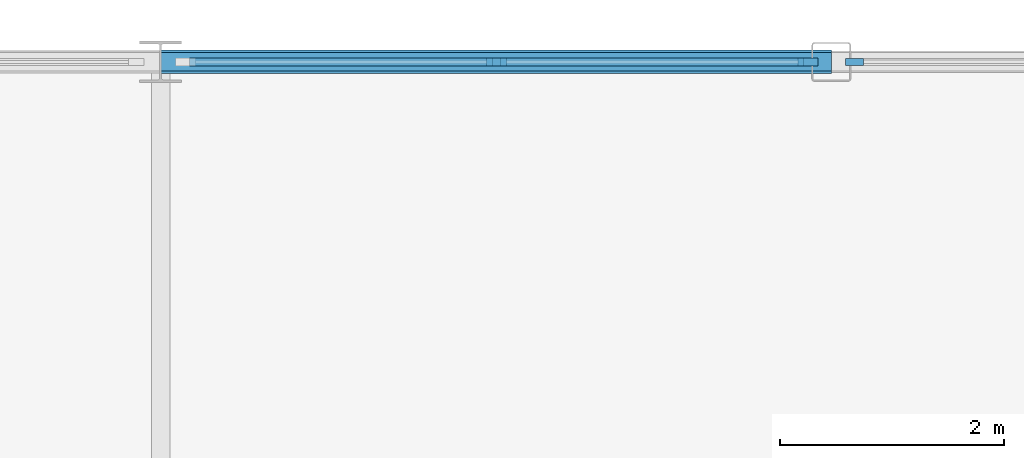
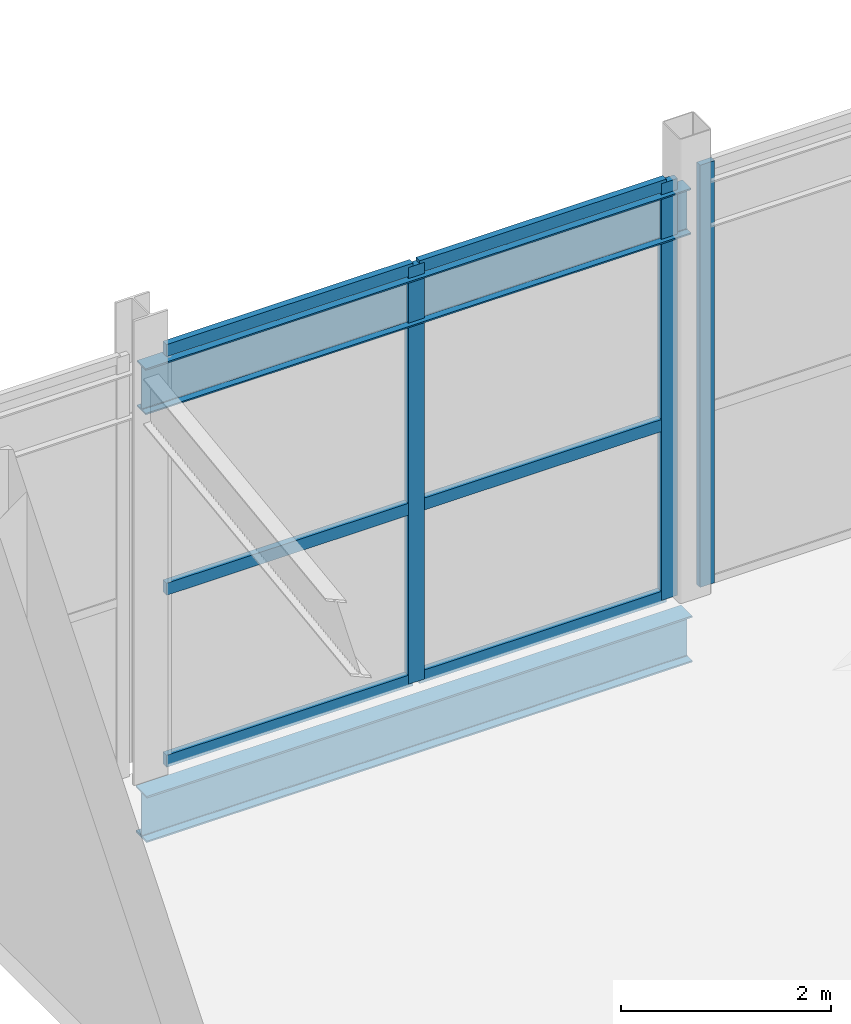
# One storey, part 63 of 119: 9 members, 2 beams, 2 elements without a shape of their own.
"""IFC4 building model written with IfcOpenShell, lengths in metres."""

from ifc_helpers import new_model, si_unit, direction, frame, origin, origin_2d, place, context, subcontext, project, spatial, rectangle, i_section, extrude, material, layer, layer_set, material_profile, profile_set, type_object, element, aggregate, save


model = new_model("IFC4")

# Units and contexts
model_context = context("Model", 3, precision=1e-05, world=origin(), true_north=direction((0.0, 1.0)))
body_context = subcontext(model_context, "Body", "Model", "MODEL_VIEW")
ifc_project = project(units=[si_unit("LENGTHUNIT", "METRE"), si_unit("AREAUNIT", "SQUARE_METRE"), si_unit("VOLUMEUNIT", "CUBIC_METRE"), si_unit("PLANEANGLEUNIT", "RADIAN"), si_unit("MASSUNIT", "GRAM", prefix="KILO")], contexts=[model_context])

# Site, building, storey
site_placement = place(None, origin())
site = spatial("IfcSite", under=ifc_project, at=site_placement, CompositionType="ELEMENT")
building_placement = place(site_placement, origin())
building = spatial("IfcBuilding", under=site, at=building_placement, Name="Qamarlyn Nura Convention Centre", CompositionType="ELEMENT")
storey_placement = place(building_placement, frame((0.0, 0.0, 5.39990234375)))
storey = spatial("IfcBuildingStorey", under=building, at=storey_placement, Name="L01", CompositionType="ELEMENT", Elevation=5.39990234375)

# Beams
ifc_material_1 = material(Name="Steel ASTM A992", Category="steel")
ifc_material_profile_1 = material_profile(ifc_material_1, i_section(OverallWidth=0.166015625, OverallDepth=0.534912109375, WebThickness=0.01025390625, FlangeThickness=0.0166015625, FilletRadius=0.013916015625, at=origin_2d()), Name="W530X85")
ifc_profile_set_1 = profile_set([ifc_material_profile_1], Name="Steel ASTM A992")
beam_type_1 = type_object("IfcBeamType", Name="BM-RAKER-01", PredefinedType="BEAM", material=ifc_profile_set_1)
beam_1_placement = place(storey_placement, frame((180.0, 126.0, 4.4501953125), z_axis=(1.0, 0.0, 0.0), x_axis=(0.0, 1.0, 0.0)))
element("IfcBeam", 1, at=beam_1_placement, inside=storey, type_object=beam_type_1, Name="Plenary stand rear header girder 180-186", PredefinedType="BEAM", context=body_context, shape_type="SweptSolid", body=[
    extrude(i_section(OverallWidth=0.166015625, OverallDepth=0.534912109375, WebThickness=0.01025390625, FlangeThickness=0.0166015625, FilletRadius=0.013916015625, at=origin_2d()), origin(), (0.0, 0.0, 1.0), 6.0),
])
ifc_material_profile_2 = material_profile(ifc_material_1, i_section(OverallWidth=0.2109375, OverallDepth=0.5390625, WebThickness=0.01171875, FlangeThickness=0.018798828125, FilletRadius=0.013916015625, at=origin_2d()), Name="W530X109")
ifc_profile_set_2 = profile_set([ifc_material_profile_2], Name="Steel ASTM A992")
beam_type_2 = type_object("IfcBeamType", Name="BM-SPAN-530", PredefinedType="SPANDREL", material=ifc_profile_set_2)
beam_2_placement = place(storey_placement, frame((180.0, 126.0, -0.509521484375), z_axis=(1.0, 0.0, 0.0), x_axis=(0.0, 1.0, 0.0)))
element("IfcBeam", 2, at=beam_2_placement, inside=storey, type_object=beam_type_2, Name="L01 girder Q 16-17", PredefinedType="SPANDREL", context=body_context, shape_type="SweptSolid", body=[
    extrude(i_section(OverallWidth=0.2109375, OverallDepth=0.5390625, WebThickness=0.01171875, FlangeThickness=0.018798828125, FilletRadius=0.013916015625, at=origin_2d()), origin(), (0.0, 0.0, 1.0), 6.0),
])

# Curtain wall, member
ifc_material_2 = material(Name="Double-silver low-E insulated glass", Category="glass")
ifc_layer_1 = layer(ifc_material_2, 0.179931640625, Name="CW-UNIT-91")
ifc_layer_set_1 = layer_set([ifc_layer_1], Name="Double-silver low-E insulated glass")
curtain_wall_type_1 = type_object("IfcCurtainWallType", Name="CW-UNIT-91", PredefinedType="NOTDEFINED", material=ifc_layer_set_1)
curtain_wall_1_placement = place(storey_placement, origin())
curtain_wall_1 = element("IfcCurtainWall", 3, at=curtain_wall_1_placement, inside=storey, type_object=curtain_wall_type_1, Name="L01 unitised curtain wall PLN-N6-1", PredefinedType="NOTDEFINED")
ifc_material_3 = material(Name="Champagne-anodised marine aluminium", Category="aluminium")
ifc_material_profile_3 = material_profile(ifc_material_3, rectangle(XDim=0.06494140625, YDim=0.159912109375, at=origin_2d()), Name="ALU MULLION 65x160")
ifc_profile_set_3 = profile_set([ifc_material_profile_3], Name="Champagne-anodised marine aluminium")
member_type_1 = type_object("IfcMemberType", Name="CWM-160", PredefinedType="MULLION", material=ifc_profile_set_3)
member_1_placement = place(storey_placement, frame((186.20751953125, 126.0, 0.0), z_axis=(0.0, 0.0, 1.0), x_axis=(0.0, 1.0, 0.0)))
member_1 = element("IfcMember", 4, at=member_1_placement, type_object=member_type_1, Name="CW91 mullion 1", PredefinedType="MULLION", context=body_context, shape_type="SweptSolid", body=[
    extrude(rectangle(XDim=0.06494140625, YDim=0.159912109375, at=origin_2d()), origin(), (0.0, 0.0, 1.0), 4.91015625),
])
aggregate(curtain_wall_1, [member_1])

# Curtain wall, members
ifc_layer_2 = layer(ifc_material_2, 0.179931640625, Name="CW-UNIT-90")
ifc_layer_set_2 = layer_set([ifc_layer_2], Name="Double-silver low-E insulated glass")
curtain_wall_type_2 = type_object("IfcCurtainWallType", Name="CW-UNIT-90", PredefinedType="NOTDEFINED", material=ifc_layer_set_2)
curtain_wall_2_placement = place(storey_placement, origin())
curtain_wall_2 = element("IfcCurtainWall", 5, at=curtain_wall_2_placement, inside=storey, type_object=curtain_wall_type_2, Name="L01 unitised curtain wall PLN-N5-1", PredefinedType="NOTDEFINED")
ifc_material_profile_4 = material_profile(ifc_material_3, rectangle(XDim=0.070068359375, YDim=0.179931640625, at=origin_2d()), Name="ALU MULLION 70x180")
ifc_profile_set_4 = profile_set([ifc_material_profile_4], Name="Champagne-anodised marine aluminium")
member_type_2 = type_object("IfcMemberType", Name="CWM-180", PredefinedType="MULLION", material=ifc_profile_set_4)
member_2_placement = place(storey_placement, frame((183.006103515625, 126.0, 0.0), z_axis=(0.0, 0.0, 1.0), x_axis=(0.0, 1.0, 0.0)))
member_2 = element("IfcMember", 6, at=member_2_placement, type_object=member_type_2, Name="CW90 mullion 2", PredefinedType="MULLION", context=body_context, shape_type="SweptSolid", body=[
    extrude(rectangle(XDim=0.070068359375, YDim=0.179931640625, at=origin_2d()), origin(), (0.0, 0.0, 1.0), 4.84619140625),
])
member_3_placement = place(storey_placement, frame((185.7900390625, 126.0, 0.0), z_axis=(0.0, 0.0, 1.0), x_axis=(0.0, 1.0, 0.0)))
member_3 = element("IfcMember", 7, at=member_3_placement, type_object=member_type_2, Name="CW90 mullion 3", PredefinedType="MULLION", context=body_context, shape_type="SweptSolid", body=[
    extrude(rectangle(XDim=0.070068359375, YDim=0.179931640625, at=origin_2d()), origin(), (0.0, 0.0, 1.0), 4.84619140625),
])
ifc_material_profile_5 = material_profile(ifc_material_3, rectangle(XDim=0.070068359375, YDim=0.139892578125, at=origin_2d()), Name="ALU TRANSOM 70x140")
ifc_profile_set_5 = profile_set([ifc_material_profile_5], Name="Champagne-anodised marine aluminium")
member_type_3 = type_object("IfcMemberType", Name="CWT-140", PredefinedType="USERDEFINED", material=ifc_profile_set_5)
member_4_placement = place(storey_placement, frame((180.257080078125, 126.0, 0.03515625), z_axis=(1.0, 0.0, 0.0), x_axis=(0.0, 1.0, 0.0)))
member_4 = element("IfcMember", 8, at=member_4_placement, type_object=member_type_3, Name="CW90 transom 1.1", ObjectType="TRANSOM", PredefinedType="USERDEFINED", context=body_context, shape_type="SweptSolid", body=[
    extrude(rectangle(XDim=0.070068359375, YDim=0.139892578125, at=origin_2d()), origin(), (0.0, 0.0, 1.0), 2.7138671875),
])
member_5_placement = place(storey_placement, frame((180.257080078125, 126.0, 2.03515625), z_axis=(1.0, 0.0, 0.0), x_axis=(0.0, 1.0, 0.0)))
member_5 = element("IfcMember", 9, at=member_5_placement, type_object=member_type_3, Name="CW90 transom 1.2", ObjectType="TRANSOM", PredefinedType="USERDEFINED", context=body_context, shape_type="SweptSolid", body=[
    extrude(rectangle(XDim=0.070068359375, YDim=0.139892578125, at=origin_2d()), origin(), (0.0, 0.0, 1.0), 2.7138671875),
])
member_6_placement = place(storey_placement, frame((180.257080078125, 126.0, 4.81103515625), z_axis=(1.0, 0.0, 0.0), x_axis=(0.0, 1.0, 0.0)))
member_6 = element("IfcMember", 10, at=member_6_placement, type_object=member_type_3, Name="CW90 transom 1.3", ObjectType="TRANSOM", PredefinedType="USERDEFINED", context=body_context, shape_type="SweptSolid", body=[
    extrude(rectangle(XDim=0.070068359375, YDim=0.139892578125, at=origin_2d()), origin(), (0.0, 0.0, 1.0), 2.7138671875),
])
member_7_placement = place(storey_placement, frame((183.041015625, 126.0, 0.03515625), z_axis=(1.0, 0.0, 0.0), x_axis=(0.0, 1.0, 0.0)))
member_7 = element("IfcMember", 11, at=member_7_placement, type_object=member_type_3, Name="CW90 transom 2.1", ObjectType="TRANSOM", PredefinedType="USERDEFINED", context=body_context, shape_type="SweptSolid", body=[
    extrude(rectangle(XDim=0.070068359375, YDim=0.139892578125, at=origin_2d()), origin(), (0.0, 0.0, 1.0), 2.7138671875),
])
member_8_placement = place(storey_placement, frame((183.041015625, 126.0, 2.03515625), z_axis=(1.0, 0.0, 0.0), x_axis=(0.0, 1.0, 0.0)))
member_8 = element("IfcMember", 12, at=member_8_placement, type_object=member_type_3, Name="CW90 transom 2.2", ObjectType="TRANSOM", PredefinedType="USERDEFINED", context=body_context, shape_type="SweptSolid", body=[
    extrude(rectangle(XDim=0.070068359375, YDim=0.139892578125, at=origin_2d()), origin(), (0.0, 0.0, 1.0), 2.7138671875),
])
member_9_placement = place(storey_placement, frame((183.041015625, 126.0, 4.81103515625), z_axis=(1.0, 0.0, 0.0), x_axis=(0.0, 1.0, 0.0)))
member_9 = element("IfcMember", 13, at=member_9_placement, type_object=member_type_3, Name="CW90 transom 2.3", ObjectType="TRANSOM", PredefinedType="USERDEFINED", context=body_context, shape_type="SweptSolid", body=[
    extrude(rectangle(XDim=0.070068359375, YDim=0.139892578125, at=origin_2d()), origin(), (0.0, 0.0, 1.0), 2.7138671875),
])
aggregate(curtain_wall_2, [member_2, member_3, member_4, member_5, member_6, member_7, member_8, member_9])

save(model, "model.ifc")
